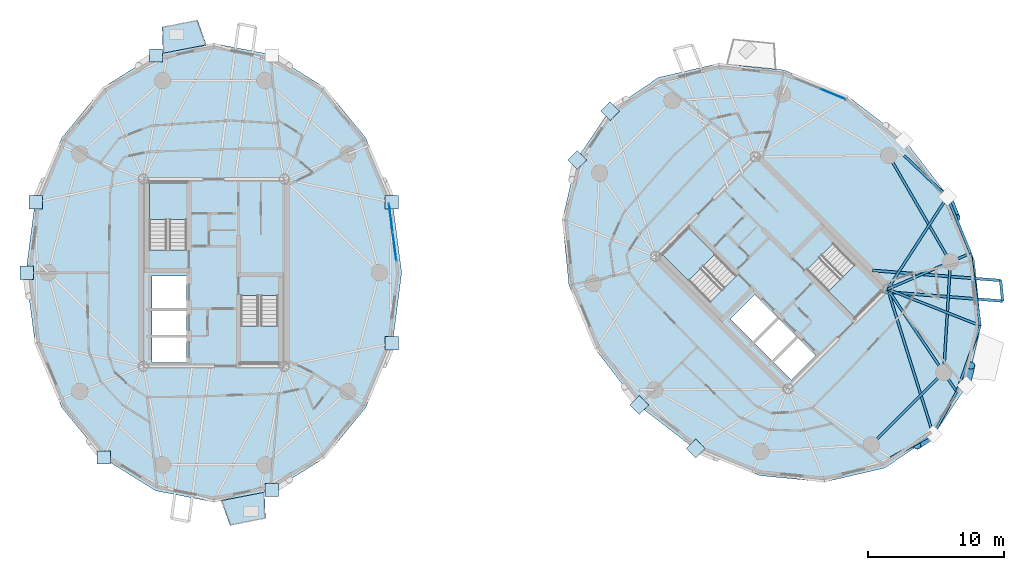
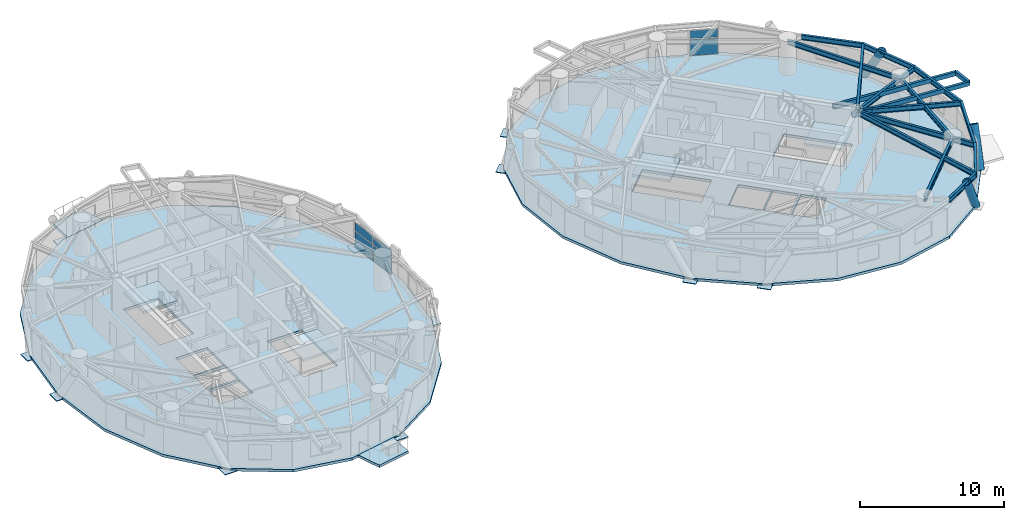
# One storey, part 8 of 18: 17 beams, 17 plates, 8 slabs, 3 members, 6 elements without a shape of their own.
"""IFC4 building model written with IfcOpenShell, lengths in metres."""

from ifc_helpers import new_model, si_unit, direction, frame, origin, origin_2d, place, context, subcontext, project, spatial, polyline, rectangle, hollow_rectangle, hollow_circle, i_section, outline, extrude, source, transform, mapped, material, layer, layer_set, material_profile, profile_set, type_object, element, aggregate, save


model = new_model("IFC4")

# Units and contexts
model_context = context("Model", 3, precision=1e-05, world=origin(), true_north=direction((0.0, 1.0)))
body_context = subcontext(model_context, "Body", "Model", "MODEL_VIEW")
ifc_project = project(units=[si_unit("LENGTHUNIT", "METRE"), si_unit("AREAUNIT", "SQUARE_METRE"), si_unit("VOLUMEUNIT", "CUBIC_METRE"), si_unit("PLANEANGLEUNIT", "RADIAN"), si_unit("MASSUNIT", "GRAM", prefix="KILO")], contexts=[model_context])

# Site, building, storey
site_placement = place(None, origin())
site = spatial("IfcSite", under=ifc_project, at=site_placement, CompositionType="ELEMENT")
building_placement = place(site_placement, origin())
building = spatial("IfcBuilding", under=site, at=building_placement, Name="Cununo Teusaquillo Station Towers", CompositionType="ELEMENT")
storey_placement = place(building_placement, frame((0.0, 0.0, 169.06005859375)))
storey = spatial("IfcBuildingStorey", under=building, at=storey_placement, Name="L53", CompositionType="ELEMENT", Elevation=169.06005859375)

# Beams
ifc_material_1 = material(Name="Steel EN 10025-2 S355J2", Category="steel")
ifc_material_profile_1 = material_profile(ifc_material_1, hollow_rectangle(XDim=0.199951171875, YDim=0.35009765625, WallThickness=0.013916015625, at=origin_2d()), Name="RHS 350x200x14")
ifc_profile_set_1 = profile_set([ifc_material_profile_1], Name="Steel EN 10025-2 S355J2")
beam_type_1 = type_object("IfcBeamType", Name="BM-BAL-CANT", PredefinedType="BEAM", material=ifc_profile_set_1)
beam_1_placement = place(storey_placement, frame((65.52392578125, 23.119384765625, 2.514892578125), z_axis=(0.996935259879, -0.078230988808, 0.0), x_axis=(0.078230988808, 0.996935259879, 0.0)))
element("IfcBeam", 1, at=beam_1_placement, inside=storey, type_object=beam_type_1, Name="L53 Tower B Balcony Cantilever Bracket 2A", PredefinedType="BEAM", context=body_context, shape_type="SweptSolid", body=[
    extrude(hollow_rectangle(XDim=0.199951171875, YDim=0.35009765625, WallThickness=0.013916015625, at=origin_2d()), origin(), (0.0, 0.0, 1.0), 8.978515625),
])
beam_2_placement = place(storey_placement, frame((64.895751953125, 24.670166015625, 2.514892578125), z_axis=(0.996934707517, -0.07823802751, 0.0), x_axis=(0.07823802751, 0.996934707517, 0.0)))
element("IfcBeam", 2, at=beam_2_placement, inside=storey, type_object=beam_type_1, Name="L53 Tower B Balcony Cantilever Bracket 2B", PredefinedType="BEAM", context=body_context, shape_type="SweptSolid", body=[
    extrude(hollow_rectangle(XDim=0.199951171875, YDim=0.35009765625, WallThickness=0.013916015625, at=origin_2d()), origin(), (0.0, 0.0, 1.0), 9.458251953125),
])
ifc_material_2 = material(Name="Steel ASTM A572 Grade 50", Category="steel")
ifc_material_profile_2 = material_profile(ifc_material_2, i_section(OverallWidth=0.180908203125, OverallDepth=0.4169921875, WebThickness=0.010986328125, FlangeThickness=0.018310546875, FilletRadius=0.012939453125, at=origin_2d()), Name="W16X57")
ifc_profile_set_2 = profile_set([ifc_material_profile_2], Name="Steel ASTM A572 Grade 50")
beam_type_2 = type_object("IfcBeamType", Name="BM-JOIST-1", PredefinedType="JOIST", material=ifc_profile_set_2)
beam_3_placement = place(storey_placement, frame((66.024169921875, 23.29443359375, 2.4814453125), z_axis=(0.29947962656, -0.954102695351, 0.0), x_axis=(0.954102695351, 0.29947962656, 0.0)))
element("IfcBeam", 3, at=beam_3_placement, inside=storey, type_object=beam_type_2, Name="L53 Tower B Radial Spandrel Joist V15", PredefinedType="JOIST", context=body_context, shape_type="SweptSolid", body=[
    extrude(i_section(OverallWidth=0.180908203125, OverallDepth=0.4169921875, WebThickness=0.010986328125, FlangeThickness=0.018310546875, FilletRadius=0.012939453125, at=origin_2d()), origin(), (0.0, 0.0, 1.0), 11.179931640625),
])
beam_4_placement = place(storey_placement, frame((66.024169921875, 23.29443359375, 2.4814453125), z_axis=(0.93009004426, -0.367331607091, 0.0), x_axis=(0.367331607091, 0.93009004426, 0.0)))
element("IfcBeam", 4, at=beam_4_placement, inside=storey, type_object=beam_type_2, Name="L53 Tower B Radial Spandrel Joist V17", PredefinedType="JOIST", context=body_context, shape_type="SweptSolid", body=[
    extrude(i_section(OverallWidth=0.180908203125, OverallDepth=0.4169921875, WebThickness=0.010986328125, FlangeThickness=0.018310546875, FilletRadius=0.012939453125, at=origin_2d()), origin(), (0.0, 0.0, 1.0), 7.306884765625),
])
beam_5_placement = place(storey_placement, frame((66.024169921875, 23.29443359375, 2.4814453125), z_axis=(0.543440395394, 0.839447756954, 0.0), x_axis=(-0.839447756954, 0.543440395394, 0.0)))
element("IfcBeam", 5, at=beam_5_placement, inside=storey, type_object=beam_type_2, Name="L53 Tower B Radial Spandrel Joist V19", PredefinedType="JOIST", context=body_context, shape_type="SweptSolid", body=[
    extrude(i_section(OverallWidth=0.180908203125, OverallDepth=0.4169921875, WebThickness=0.010986328125, FlangeThickness=0.018310546875, FilletRadius=0.012939453125, at=origin_2d()), origin(), (0.0, 0.0, 1.0), 8.08203125),
])
ifc_material_3 = material(Name="Steel ASTM A572 Grade 50", Category="steel")
ifc_material_profile_3 = material_profile(ifc_material_3, i_section(OverallWidth=0.180908203125, OverallDepth=0.4169921875, WebThickness=0.010986328125, FlangeThickness=0.018310546875, FilletRadius=0.012939453125, at=origin_2d()), Name="W16X57")
ifc_profile_set_3 = profile_set([ifc_material_profile_3], Name="Steel ASTM A572 Grade 50")
beam_type_3 = type_object("IfcBeamType", Name="BM-RAD-G2", PredefinedType="BEAM", material=ifc_profile_set_3)
beam_6_placement = place(storey_placement, frame((66.024169921875, 23.29443359375, 2.4814453125), z_axis=(0.558570989907, -0.829456719326, 0.0), x_axis=(0.829456719326, 0.558570989907, 0.0)))
element("IfcBeam", 6, at=beam_6_placement, inside=storey, type_object=beam_type_3, Name="L53 Tower B Continuous Overhanging Radial Girder 09", PredefinedType="BEAM", context=body_context, shape_type="SweptSolid", body=[
    extrude(i_section(OverallWidth=0.180908203125, OverallDepth=0.4169921875, WebThickness=0.010986328125, FlangeThickness=0.018310546875, FilletRadius=0.012939453125, at=origin_2d()), origin(), (0.0, 0.0, 1.0), 9.097412109375),
])
beam_7_placement = place(storey_placement, frame((66.024169921875, 23.29443359375, 2.4814453125), z_axis=(0.917664823247, 0.397355347486, 0.0), x_axis=(-0.397355347486, 0.917664823247, 0.0)))
element("IfcBeam", 7, at=beam_7_placement, inside=storey, type_object=beam_type_3, Name="L53 Tower B Continuous Overhanging Radial Girder 10", PredefinedType="BEAM", context=body_context, shape_type="SweptSolid", body=[
    extrude(i_section(OverallWidth=0.180908203125, OverallDepth=0.4169921875, WebThickness=0.010986328125, FlangeThickness=0.018310546875, FilletRadius=0.012939453125, at=origin_2d()), origin(), (0.0, 0.0, 1.0), 6.632080078125),
])
ifc_material_4 = material(Name="Steel ASTM A572 Grade 50", Category="steel")
ifc_material_profile_4 = material_profile(ifc_material_4, i_section(OverallWidth=0.180908203125, OverallDepth=0.4169921875, WebThickness=0.010986328125, FlangeThickness=0.018310546875, FilletRadius=0.012939453125, at=origin_2d()), Name="W16X57")
ifc_profile_set_4 = profile_set([ifc_material_profile_4], Name="Steel ASTM A572 Grade 50")
beam_type_4 = type_object("IfcBeamType", Name="BM-RING-Z3", PredefinedType="SPANDREL", material=ifc_profile_set_4)
beam_8_placement = place(storey_placement, frame((64.826904296875, 11.853759765625, 2.4814453125), z_axis=(0.707106781187, 0.707106781187, 0.0), x_axis=(-0.707106781187, 0.707106781187, 0.0)))
element("IfcBeam", 8, at=beam_8_placement, inside=storey, type_object=beam_type_4, Name="L53 Tower B Structural Column Ring Girder 08", PredefinedType="SPANDREL", context=body_context, shape_type="SweptSolid", body=[
    extrude(i_section(OverallWidth=0.180908203125, OverallDepth=0.4169921875, WebThickness=0.010986328125, FlangeThickness=0.018310546875, FilletRadius=0.012939453125, at=origin_2d()), origin(), (0.0, 0.0, 1.0), 7.522705078125),
])
beam_9_placement = place(storey_placement, frame((70.146240234375, 17.173095703125, 2.4814453125), z_axis=(0.06012979176, 0.998190567048, 0.0), x_axis=(-0.998190567048, 0.06012979176, 0.0)))
element("IfcBeam", 9, at=beam_9_placement, inside=storey, type_object=beam_type_4, Name="L53 Tower B Structural Column Ring Girder 09", PredefinedType="SPANDREL", context=body_context, shape_type="SweptSolid", body=[
    extrude(i_section(OverallWidth=0.180908203125, OverallDepth=0.4169921875, WebThickness=0.010986328125, FlangeThickness=0.018310546875, FilletRadius=0.012939453125, at=origin_2d()), origin(), (0.0, 0.0, 1.0), 8.132568359375),
])
beam_10_placement = place(storey_placement, frame((70.63525390625, 25.291015625, 2.4814453125), z_axis=(-0.501311121078, 0.865267103202, 0.0), x_axis=(-0.865267103202, -0.501311121078, 0.0)))
element("IfcBeam", 10, at=beam_10_placement, inside=storey, type_object=beam_type_4, Name="L53 Tower B Structural Column Ring Girder 10", PredefinedType="SPANDREL", context=body_context, shape_type="SweptSolid", body=[
    extrude(i_section(OverallWidth=0.180908203125, OverallDepth=0.4169921875, WebThickness=0.010986328125, FlangeThickness=0.018310546875, FilletRadius=0.012939453125, at=origin_2d()), origin(), (0.0, 0.0, 1.0), 9.032958984375),
])
for number, where, z_axis, x_axis, name in (
    (11, (66.25146484375, 10.894287109375, 2.4814453125), (0.874205659621, 0.485555830659, 0.0), (-0.485555830659, 0.874205659621, 0.0), "L53 Tower B Spandrel Ring Beam 15"),
    (12, (69.372314453125, 12.627685546875, 2.4814453125), (0.485555830659, 0.874205659621, 0.0), (-0.874205659621, 0.485555830659, 0.0), "L53 Tower B Spandrel Ring Beam 16"),
):
    element("IfcBeam", number, at=place(storey_placement, frame(where, z_axis=z_axis, x_axis=x_axis)), inside=storey, type_object=beam_type_4, Name=name, PredefinedType="SPANDREL", context=body_context, shape_type="SweptSolid", body=[
        extrude(i_section(OverallWidth=0.180908203125, OverallDepth=0.4169921875, WebThickness=0.010986328125, FlangeThickness=0.018310546875, FilletRadius=0.012939453125, at=origin_2d()), origin(), (0.0, 0.0, 1.0), 3.56982421875),
    ])
beam_11_placement = place(storey_placement, frame((71.105712890625, 15.74853515625, 2.4814453125), z_axis=(0.332589733158, 0.943071614141, 0.0), x_axis=(-0.943071614141, 0.332589733158, 0.0)))
element("IfcBeam", 13, at=beam_11_placement, inside=storey, type_object=beam_type_4, Name="L53 Tower B Spandrel Ring Beam 17", PredefinedType="SPANDREL", context=body_context, shape_type="SweptSolid", body=[
    extrude(i_section(OverallWidth=0.180908203125, OverallDepth=0.4169921875, WebThickness=0.010986328125, FlangeThickness=0.018310546875, FilletRadius=0.012939453125, at=origin_2d()), origin(), (0.0, 0.0, 1.0), 5.1552734375),
])
beam_12_placement = place(storey_placement, frame((72.8203125, 20.6103515625, 2.4814453125), z_axis=(-0.132339532096, 0.991204443213, 0.0), x_axis=(-0.991204443213, -0.132339532096, 0.0)))
element("IfcBeam", 14, at=beam_12_placement, inside=storey, type_object=beam_type_4, Name="L53 Tower B Spandrel Ring Beam 18", PredefinedType="SPANDREL", context=body_context, shape_type="SweptSolid", body=[
    extrude(i_section(OverallWidth=0.180908203125, OverallDepth=0.4169921875, WebThickness=0.010986328125, FlangeThickness=0.018310546875, FilletRadius=0.012939453125, at=origin_2d()), origin(), (0.0, 0.0, 1.0), 5.366455078125),
])
beam_13_placement = place(storey_placement, frame((72.110107421875, 25.9296875, 2.4814453125), z_axis=(-0.377956082264, 0.925823525235, 0.0), x_axis=(-0.925823525235, -0.377956082264, 0.0)))
element("IfcBeam", 15, at=beam_13_placement, inside=storey, type_object=beam_type_4, Name="L53 Tower B Spandrel Ring Beam 19", PredefinedType="SPANDREL", context=body_context, shape_type="SweptSolid", body=[
    extrude(i_section(OverallWidth=0.180908203125, OverallDepth=0.4169921875, WebThickness=0.010986328125, FlangeThickness=0.018310546875, FilletRadius=0.012939453125, at=origin_2d()), origin(), (0.0, 0.0, 1.0), 4.481689453125),
])
beam_14_placement = place(storey_placement, frame((70.416259765625, 30.078857421875, 2.4814453125), z_axis=(-0.723501643849, 0.690322657421, 0.0), x_axis=(-0.690322657421, -0.723501643849, 0.0)))
element("IfcBeam", 16, at=beam_14_placement, inside=storey, type_object=beam_type_4, Name="L53 Tower B Spandrel Ring Beam 20", PredefinedType="SPANDREL", context=body_context, shape_type="SweptSolid", body=[
    extrude(i_section(OverallWidth=0.180908203125, OverallDepth=0.4169921875, WebThickness=0.010986328125, FlangeThickness=0.018310546875, FilletRadius=0.012939453125, at=origin_2d()), origin(), (0.0, 0.0, 1.0), 4.400146484375),
])
ifc_material_5 = material(Name="Steel EN 10025-2 S355J2", Category="steel")
ifc_material_profile_5 = material_profile(ifc_material_5, hollow_rectangle(XDim=0.199951171875, YDim=0.35009765625, WallThickness=0.013916015625, at=origin_2d()), Name="RHS 350x200x14")
ifc_profile_set_5 = profile_set([ifc_material_profile_5], Name="Steel EN 10025-2 S355J2")
beam_type_5 = type_object("IfcBeamType", Name="BM-STAIR-TRIM", PredefinedType="BEAM", material=ifc_profile_set_5)
beam_15_placement = place(storey_placement, frame((74.474853515625, 22.4169921875, 2.52490234375), z_axis=(-0.098581668887, 0.995128963783, 0.0), x_axis=(-0.995128963783, -0.098581668887, 0.0)))
element("IfcBeam", 17, at=beam_15_placement, inside=storey, type_object=beam_type_5, Name="L53 Tower B Balcony Edge Trimmer Beam 2", PredefinedType="BEAM", context=body_context, shape_type="SweptSolid", body=[
    extrude(hollow_rectangle(XDim=0.199951171875, YDim=0.35009765625, WallThickness=0.013916015625, at=origin_2d()), origin(), (0.0, 0.0, 1.0), 1.5205078125),
])

# Members
ifc_material_6 = material(Name="Steel EN 10025-2 S355J2", Category="steel")
ifc_material_profile_6 = material_profile(ifc_material_6, hollow_circle(Radius=0.304931640625, WallThickness=0.02001953125, at=origin_2d()), Name="CHS 610x20")
ifc_profile_set_6 = profile_set([ifc_material_profile_6], Name="Steel EN 10025-2 S355J2")
member_type = type_object("IfcMemberType", Name="MBR-DIAG-Z3", PredefinedType="BRACE", material=ifc_profile_set_6)
member_1_placement = place(storey_placement, frame((69.372314453125, 12.627685546875, -0.14013671875), z_axis=(-0.367998933543, -0.248714965501, 0.895945115979), x_axis=(0.559961028799, -0.828518947416, 0.0)))
element("IfcMember", 18, at=member_1_placement, inside=storey, type_object=member_type, Name="L53 Tower B Folded-Zigzag Diagrid Tube C14", PredefinedType="BRACE", context=body_context, shape_type="SweptSolid", body=[
    extrude(hollow_circle(Radius=0.304931640625, WallThickness=0.02001953125, at=origin_2d()), origin(), (0.0, 0.0, 1.0), 3.248046875),
])
member_2_placement = place(storey_placement, frame((71.7958984375, 16.21337890625, -0.14013671875), z_axis=(0.104175068617, 0.447401367651, 0.888245220253), x_axis=(-0.973946400459, 0.226778325756, 0.0)))
element("IfcMember", 19, at=member_2_placement, inside=storey, type_object=member_type, Name="L53 Tower B Folded-Zigzag Diagrid Tube C16", PredefinedType="BRACE", context=body_context, shape_type="SweptSolid", body=[
    extrude(hollow_circle(Radius=0.304931640625, WallThickness=0.02001953125, at=origin_2d()), origin(), (0.0, 0.0, 1.0), 3.2763671875),
])
member_3_placement = place(storey_placement, frame((70.416259765625, 30.078857421875, -0.14013671875), z_axis=(0.190996227853, -0.464614826965, 0.864669592104), x_axis=(0.924899245818, 0.380212289499, 0.0)))
element("IfcMember", 20, at=member_3_placement, inside=storey, type_object=member_type, Name="L53 Tower B Folded-Zigzag Diagrid Tube C18", PredefinedType="BRACE", context=body_context, shape_type="SweptSolid", body=[
    extrude(hollow_circle(Radius=0.304931640625, WallThickness=0.02001953125, at=origin_2d()), origin(), (0.0, 0.0, 1.0), 3.36572265625),
])

# Slabs
ifc_material_7 = material(Name="Concrete C50/60", Category="concrete")
ifc_layer_1 = layer(ifc_material_7, 0.2099609375)
ifc_layer_set_1 = layer_set([ifc_layer_1], Name="Concrete C50/60")
slab_type_1 = type_object("IfcSlabType", Name="SLB-BAL-210", PredefinedType="FLOOR", material=ifc_layer_set_1)
slab_1_placement = place(storey_placement, frame((0.0, 0.0, -0.2099609375)))
element("IfcSlab", 21, at=slab_1_placement, inside=storey, type_object=slab_type_1, Name="L53 Tower A Tree Balcony Slab 1", PredefinedType="FLOOR", context=body_context, shape_type="SweptSolid", body=[
    extrude(outline(polyline([(15.958984375, 41.25048828125), (12.771240234375, 40.634521484375), (12.702392578125, 42.57177734375), (15.30126953125, 43.073974609375), (15.958984375, 41.25048828125)])), origin(), (0.0, 0.0, 1.0), 0.2099609375),
])
slab_2_placement = place(storey_placement, frame((0.0, 0.0, -0.2099609375)))
element("IfcSlab", 22, at=slab_2_placement, inside=storey, type_object=slab_type_1, Name="L53 Tower A Tree Balcony Slab 2", PredefinedType="FLOOR", context=body_context, shape_type="SweptSolid", body=[
    extrude(outline(polyline([(17.041015625, 7.74951171875), (20.228759765625, 8.365478515625), (20.297607421875, 6.42822265625), (17.69873046875, 5.926025390625), (17.041015625, 7.74951171875)])), origin(), (0.0, 0.0, 1.0), 0.2099609375),
])

# Stair, slab
ifc_material_8 = material(Name="Concrete C50/60", Category="concrete")
stair_type = type_object("IfcStairType", Name="ST-TWR-1300", PredefinedType="HALF_TURN_STAIR", material=ifc_material_8)
stair_1_placement = place(storey_placement, origin())
stair_1 = element("IfcStair", 23, at=stair_1_placement, inside=storey, type_object=stair_type, Name="L53 Tower A Protected Core Exit Stair 1", PredefinedType="HALF_TURN_STAIR")
ifc_material_9 = material(Name="Concrete C50/60", Category="concrete")
ifc_layer_2 = layer(ifc_material_9, 0.199951171875)
ifc_layer_set_2 = layer_set([ifc_layer_2], Name="Concrete C50/60")
slab_type_2 = type_object("IfcSlabType", Name="SLB-STAIR-LND", PredefinedType="LANDING", material=ifc_layer_set_2)
slab_3_placement = place(storey_placement, frame((0.0, 0.0, 1.2548828125)))
slab_3 = element("IfcSlab", 24, at=slab_3_placement, type_object=slab_type_2, Name="ST-T1-1 landing 1", PredefinedType="LANDING", context=body_context, shape_type="SweptSolid", body=[
    extrude(outline(polyline([(14.52001953125, 28.409912109375), (14.52001953125, 31.159912109375), (11.760009765625, 31.159912109375), (11.760009765625, 28.409912109375), (14.52001953125, 28.409912109375)])), origin(), (0.0, 0.0, 1.0), 0.199951171875),
])
aggregate(stair_1, [slab_3])

stair_2_placement = place(storey_placement, origin())
stair_2 = element("IfcStair", 25, at=stair_2_placement, inside=storey, type_object=stair_type, Name="L53 Tower A Protected Core Exit Stair 2", PredefinedType="HALF_TURN_STAIR")
slab_4_placement = place(storey_placement, frame((0.0, 0.0, 1.2548828125)))
slab_4 = element("IfcSlab", 26, at=slab_4_placement, type_object=slab_type_2, Name="ST-T1-2 landing 1", PredefinedType="LANDING", context=body_context, shape_type="SweptSolid", body=[
    extrude(outline(polyline([(18.47998046875, 20.590087890625), (18.47998046875, 17.840087890625), (21.239990234375, 17.840087890625), (21.239990234375, 20.590087890625), (18.47998046875, 20.590087890625)])), origin(), (0.0, 0.0, 1.0), 0.199951171875),
])
aggregate(stair_2, [slab_4])

stair_3_placement = place(storey_placement, origin())
stair_3 = element("IfcStair", 27, at=stair_3_placement, inside=storey, type_object=stair_type, Name="L53 Tower B Protected Core Exit Stair 1", PredefinedType="HALF_TURN_STAIR")
slab_5_placement = place(storey_placement, frame((0.0, 0.0, 1.2548828125)))
slab_5 = element("IfcSlab", 28, at=slab_5_placement, type_object=slab_type_2, Name="ST-T2-1 landing 1", PredefinedType="LANDING", context=body_context, shape_type="SweptSolid", body=[
    extrude(outline(polyline([(53.335205078125, 25.86474609375), (51.390625, 27.809326171875), (49.43896484375, 25.857666015625), (51.383544921875, 23.9130859375), (53.335205078125, 25.86474609375)])), origin(), (0.0, 0.0, 1.0), 0.199951171875),
])
aggregate(stair_3, [slab_5])

stair_4_placement = place(storey_placement, origin())
stair_4 = element("IfcStair", 29, at=stair_4_placement, inside=storey, type_object=stair_type, Name="L53 Tower B Protected Core Exit Stair 2", PredefinedType="HALF_TURN_STAIR")
slab_6_placement = place(storey_placement, frame((0.0, 0.0, 1.2548828125)))
slab_6 = element("IfcSlab", 30, at=slab_6_placement, type_object=slab_type_2, Name="ST-T2-2 landing 1", PredefinedType="LANDING", context=body_context, shape_type="SweptSolid", body=[
    extrude(outline(polyline([(61.664794921875, 23.13525390625), (63.609375, 21.190673828125), (65.56103515625, 23.142333984375), (63.616455078125, 25.0869140625), (61.664794921875, 23.13525390625)])), origin(), (0.0, 0.0, 1.0), 0.199951171875),
])
aggregate(stair_4, [slab_6])

# Slabs
ifc_material_10 = material(Name="Concrete C40/50", Category="concrete")
ifc_layer_3 = layer(ifc_material_10, 0.219970703125)
ifc_layer_set_3 = layer_set([ifc_layer_3], Name="Concrete C40/50")
slab_type_3 = type_object("IfcSlabType", Name="SLB-Z3-220", PredefinedType="FLOOR", material=ifc_layer_set_3)
slab_7_placement = place(storey_placement, frame((0.0, 0.0, -0.219970703125)))
element("IfcSlab", 31, at=slab_7_placement, inside=storey, type_object=slab_type_3, Name="L53 Tower A Floor Slab", PredefinedType="FLOOR", context=body_context, shape_type="SweptSolid", body=[
    extrude(outline(polyline([(30.31103515625, 24.5), (29.635009765625, 29.706787109375), (27.67333984375, 34.404296875), (24.617919921875, 38.1318359375), (20.767822265625, 40.525390625), (16.5, 41.35009765625), (12.232177734375, 40.525390625), (8.382080078125, 38.1318359375), (5.32666015625, 34.404296875), (3.364990234375, 29.706787109375), (2.68896484375, 24.5), (3.364990234375, 19.293212890625), (5.32666015625, 14.595703125), (8.382080078125, 10.8681640625), (12.232177734375, 8.474609375), (16.5, 7.64990234375), (20.767822265625, 8.474609375), (24.617919921875, 10.8681640625), (27.67333984375, 14.595703125), (29.635009765625, 19.293212890625), (30.31103515625, 24.5)]), holes=[polyline([(14.52001953125, 26.176025390625), (14.52001953125, 31.159912109375), (11.760009765625, 31.159912109375), (11.760009765625, 26.176025390625), (14.52001953125, 26.176025390625)]), polyline([(18.47998046875, 22.823974609375), (18.47998046875, 17.840087890625), (21.239990234375, 17.840087890625), (21.239990234375, 22.823974609375), (18.47998046875, 22.823974609375)]), polyline([(11.949951171875, 21.85009765625), (14.47998046875, 21.85009765625), (14.47998046875, 24.25), (11.949951171875, 24.25), (11.949951171875, 21.85009765625)]), polyline([(11.949951171875, 17.89990234375), (14.47998046875, 17.89990234375), (14.47998046875, 19.75), (11.949951171875, 19.75), (11.949951171875, 17.89990234375)]), polyline([(11.949951171875, 19.89990234375), (14.47998046875, 19.89990234375), (14.47998046875, 21.75), (11.949951171875, 21.75), (11.949951171875, 19.89990234375)])]), origin(), (0.0, 0.0, 1.0), 0.219970703125),
])
slab_8_placement = place(storey_placement, frame((0.0, 0.0, -0.219970703125)))
element("IfcSlab", 32, at=slab_8_placement, inside=storey, type_object=slab_type_3, Name="L53 Tower B Floor Slab", PredefinedType="FLOOR", context=body_context, shape_type="SweptSolid", body=[
    extrude(outline(polyline([(67.265869140625, 34.265869140625), (63.10595703125, 37.4697265625), (58.3974609375, 39.404052734375), (53.60107421875, 39.87939453125), (49.186279296875, 38.849365234375), (45.585205078125, 36.414794921875), (43.150634765625, 32.813720703125), (42.12060546875, 28.39892578125), (42.595947265625, 23.6025390625), (44.5302734375, 18.89404296875), (47.734130859375, 14.734130859375), (51.89404296875, 11.5302734375), (56.6025390625, 9.595947265625), (61.39892578125, 9.12060546875), (65.813720703125, 10.150634765625), (69.414794921875, 12.585205078125), (71.849365234375, 16.186279296875), (72.87939453125, 20.60107421875), (72.404052734375, 25.3974609375), (70.4697265625, 30.10595703125), (67.265869140625, 34.265869140625)]), holes=[polyline([(54.914794921875, 24.28515625), (51.390625, 27.809326171875), (49.43896484375, 25.857666015625), (52.963134765625, 22.33349609375), (54.914794921875, 24.28515625)]), polyline([(60.085205078125, 24.71484375), (63.609375, 21.190673828125), (65.56103515625, 23.142333984375), (62.036865234375, 26.66650390625), (60.085205078125, 24.71484375)]), polyline([(56.156494140625, 19.40869140625), (57.945556640625, 21.19775390625), (56.248291015625, 22.89501953125), (54.45947265625, 21.10595703125), (56.156494140625, 19.40869140625)]), polyline([(58.94970703125, 16.61572265625), (60.738525390625, 18.40478515625), (59.430419921875, 19.712890625), (57.641357421875, 17.923828125), (58.94970703125, 16.61572265625)]), polyline([(57.535400390625, 18.030029296875), (59.32421875, 19.819091796875), (58.01611328125, 21.127197265625), (56.227294921875, 19.338134765625), (57.535400390625, 18.030029296875)])]), origin(), (0.0, 0.0, 1.0), 0.219970703125),
])

# Plates
ifc_material_11 = material(Name="Steel ASTM A572 Grade 50", Category="steel")
ifc_layer_4 = layer(ifc_material_11, 0.054931640625)
ifc_layer_set_4 = layer_set([ifc_layer_4], Name="Steel ASTM A572 Grade 50")
plate_type_1 = type_object("IfcPlateType", Name="PLT-NODE-KDN1", PredefinedType="USERDEFINED", material=ifc_layer_set_4)
shared_shape_1 = source(origin(), body_context, "Body", "SweptSolid", [
    extrude(rectangle(XDim=0.97998046875, YDim=0.97998046875, at=origin_2d()), origin(), (0.0, 0.0, 1.0), 0.054931640625),
])
for number, where, z_axis, x_axis, name in (
    (33, (29.577880859375, 29.6884765625, -0.16748046875), (0.0, 0.0, 1.0), (1.0, 0.0, 0.0), "L53 Tower A Diagrid Node Assembly C01"),
    (34, (12.250732421875, 40.46826171875, -0.16748046875), (0.0, 0.0, 1.0), (1.0, 0.0, 0.0), "L53 Tower A Diagrid Node Assembly C06"),
    (35, (3.422119140625, 29.6884765625, -0.16748046875), (0.0, 0.0, 1.0), (1.0, 0.0, 0.0), "L53 Tower A Diagrid Node Assembly C08"),
    (36, (2.7490234375, 24.5, -0.16748046875), (0.0, 0.0, 1.0), (1.0, 0.0, 0.0), "L53 Tower A Diagrid Node Assembly C10"),
    (37, (8.41748046875, 10.91650390625, -0.16748046875), (0.0, 0.0, 1.0), (1.0, 0.0, 0.0), "L53 Tower A Diagrid Node Assembly C12"),
    (38, (20.749267578125, 8.53173828125, -0.16748046875), (0.0, 0.0, 1.0), (1.0, 0.0, 0.0), "L53 Tower A Diagrid Node Assembly C16"),
    (39, (29.577880859375, 19.3115234375, -0.16748046875), (0.0, 0.0, 1.0), (1.0, 0.0, 0.0), "L53 Tower A Diagrid Node Assembly C18"),
    (40, (45.627685546875, 36.372314453125, -0.16748046875), (0.0, 0.0, 1.0), (0.707106781187, 0.707106781187, 0.0), "L53 Tower B Diagrid Node Assembly C04"),
    (41, (43.2041015625, 32.78662109375, -0.16748046875), (0.0, 0.0, 1.0), (0.707106781187, 0.707106781187, 0.0), "L53 Tower B Diagrid Node Assembly C06"),
    (42, (47.776611328125, 14.776611328125, -0.16748046875), (0.0, 0.0, 1.0), (0.707106781187, 0.707106781187, 0.0), "L53 Tower B Diagrid Node Assembly C09"),
    (43, (51.921142578125, 11.583740234375, -0.16748046875), (0.0, 0.0, 1.0), (0.707106781187, 0.707106781187, 0.0), "L53 Tower B Diagrid Node Assembly C11"),
):
    element("IfcPlate", number, at=place(storey_placement, frame(where, z_axis=z_axis, x_axis=x_axis)), inside=storey, type_object=plate_type_1, Name=name, ObjectType="GUSSET PLATE", PredefinedType="USERDEFINED", context=body_context, shape_type="MappedRepresentation", body=[
        mapped(shared_shape_1, transform((0.0, 0.0, 0.0), x_axis=(1.0, 0.0, 0.0), y_axis=(0.0, 1.0, 0.0), z_axis=(0.0, 0.0, 1.0), scale=1.0)),
    ])

# Curtain wall, plates
ifc_material_12 = material(Name="Operable acoustic tinted low-E double glazing", Category="glass")
ifc_layer_5 = layer(ifc_material_12, 0.179931640625)
ifc_layer_set_5 = layer_set([ifc_layer_5], Name="Operable acoustic tinted low-E double glazing")
curtain_wall_type = type_object("IfcCurtainWallType", Name="CW-SYS-06", PredefinedType="USERDEFINED", material=ifc_layer_set_5)
curtain_wall_1_placement = place(storey_placement, origin())
curtain_wall_1 = element("IfcCurtainWall", 44, at=curtain_wall_1_placement, inside=storey, type_object=curtain_wall_type, Name="L53 Tower A Facade Curtain Wall C00", ObjectType="OPERABLE GLAZING", PredefinedType="USERDEFINED")
ifc_material_13 = material(Name="Operable acoustic tinted low-E double glazing", Category="glass")
ifc_layer_6 = layer(ifc_material_13, 0.031982421875)
ifc_layer_set_6 = layer_set([ifc_layer_6], Name="Operable acoustic tinted low-E double glazing")
plate_type_2 = type_object("IfcPlateType", Name="CWP-OPER-32", PredefinedType="CURTAIN_PANEL", material=ifc_layer_set_6)
shared_shape_2 = source(origin(), body_context, "Body", "SweptSolid", [
    extrude(rectangle(XDim=2.05908203125, YDim=0.031982421875, at=origin_2d()), origin(), (0.0, 0.0, 1.0), 1.361572265625),
])
plate_1_placement = place(storey_placement, frame((29.509033203125, 28.534912109375, 0.06494140625), z_axis=(0.0, 0.0, 1.0), x_axis=(0.128285462927, -0.991737283761, 0.0)))
plate_1 = element("IfcPlate", 45, at=plate_1_placement, type_object=plate_type_2, Name="CW-06 panel 1.1", PredefinedType="CURTAIN_PANEL", context=body_context, shape_type="MappedRepresentation", body=[
    mapped(shared_shape_2, transform((0.0, 0.0, 0.0), x_axis=(1.0, 0.0, 0.0), y_axis=(0.0, 1.0, 0.0), z_axis=(0.0, 0.0, 1.0), scale=1.0)),
])
plate_2_placement = place(storey_placement, frame((29.781494140625, 26.428466796875, 0.06494140625), z_axis=(0.0, 0.0, 1.0), x_axis=(0.128285462927, -0.991737283761, 0.0)))
plate_2 = element("IfcPlate", 46, at=plate_2_placement, type_object=plate_type_2, Name="CW-06 panel 2.1", PredefinedType="CURTAIN_PANEL", context=body_context, shape_type="MappedRepresentation", body=[
    mapped(shared_shape_2, transform((0.0, 0.0, 0.0), x_axis=(1.0, 0.0, 0.0), y_axis=(0.0, 1.0, 0.0), z_axis=(0.0, 0.0, 1.0), scale=1.0)),
])
shared_shape_3 = source(origin(), body_context, "Body", "SweptSolid", [
    extrude(rectangle(XDim=2.05908203125, YDim=0.031982421875, at=origin_2d()), origin(), (0.0, 0.0, 1.0), 0.6884765625),
])
plate_3_placement = place(storey_placement, frame((29.509033203125, 28.534912109375, 1.491455078125), z_axis=(0.0, 0.0, 1.0), x_axis=(0.128285462927, -0.991737283761, 0.0)))
plate_3 = element("IfcPlate", 47, at=plate_3_placement, type_object=plate_type_2, Name="CW-06 panel 1.2", PredefinedType="CURTAIN_PANEL", context=body_context, shape_type="MappedRepresentation", body=[
    mapped(shared_shape_3, transform((0.0, 0.0, 0.0), x_axis=(1.0, 0.0, 0.0), y_axis=(0.0, 1.0, 0.0), z_axis=(0.0, 0.0, 1.0), scale=1.0)),
])
plate_4_placement = place(storey_placement, frame((29.781494140625, 26.428466796875, 1.491455078125), z_axis=(0.0, 0.0, 1.0), x_axis=(0.128285462927, -0.991737283761, 0.0)))
plate_4 = element("IfcPlate", 48, at=plate_4_placement, type_object=plate_type_2, Name="CW-06 panel 2.2", PredefinedType="CURTAIN_PANEL", context=body_context, shape_type="MappedRepresentation", body=[
    mapped(shared_shape_3, transform((0.0, 0.0, 0.0), x_axis=(1.0, 0.0, 0.0), y_axis=(0.0, 1.0, 0.0), z_axis=(0.0, 0.0, 1.0), scale=1.0)),
])
aggregate(curtain_wall_1, [plate_1, plate_3, plate_2, plate_4])

curtain_wall_2_placement = place(storey_placement, origin())
curtain_wall_2 = element("IfcCurtainWall", 49, at=curtain_wall_2_placement, inside=storey, type_object=curtain_wall_type, Name="L53 Tower B Facade Curtain Wall C01", ObjectType="OPERABLE GLAZING", PredefinedType="USERDEFINED")
shared_shape_4 = source(origin(), body_context, "Body", "SweptSolid", [
    extrude(rectangle(XDim=1.97900390625, YDim=0.031982421875, at=origin_2d()), origin(), (0.0, 0.0, 1.0), 1.361572265625),
])
plate_5_placement = place(storey_placement, frame((62.00390625, 37.622314453125, 0.06494140625), z_axis=(0.0, 0.0, 1.0), x_axis=(0.924480504803, -0.381229322376, 0.0)))
plate_5 = element("IfcPlate", 50, at=plate_5_placement, type_object=plate_type_2, Name="CW-06 panel 2.1", PredefinedType="CURTAIN_PANEL", context=body_context, shape_type="MappedRepresentation", body=[
    mapped(shared_shape_4, transform((0.0, 0.0, 0.0), x_axis=(1.0, 0.0, 0.0), y_axis=(0.0, 1.0, 0.0), z_axis=(0.0, 0.0, 1.0), scale=1.0)),
])
shared_shape_5 = source(origin(), body_context, "Body", "SweptSolid", [
    extrude(rectangle(XDim=1.97900390625, YDim=0.031982421875, at=origin_2d()), origin(), (0.0, 0.0, 1.0), 0.6884765625),
])
plate_6_placement = place(storey_placement, frame((62.00390625, 37.622314453125, 1.491455078125), z_axis=(0.0, 0.0, 1.0), x_axis=(0.924480504803, -0.381229322376, 0.0)))
plate_6 = element("IfcPlate", 51, at=plate_6_placement, type_object=plate_type_2, Name="CW-06 panel 2.2", PredefinedType="CURTAIN_PANEL", context=body_context, shape_type="MappedRepresentation", body=[
    mapped(shared_shape_5, transform((0.0, 0.0, 0.0), x_axis=(1.0, 0.0, 0.0), y_axis=(0.0, 1.0, 0.0), z_axis=(0.0, 0.0, 1.0), scale=1.0)),
])
aggregate(curtain_wall_2, [plate_5, plate_6])

save(model, "model.ifc")
